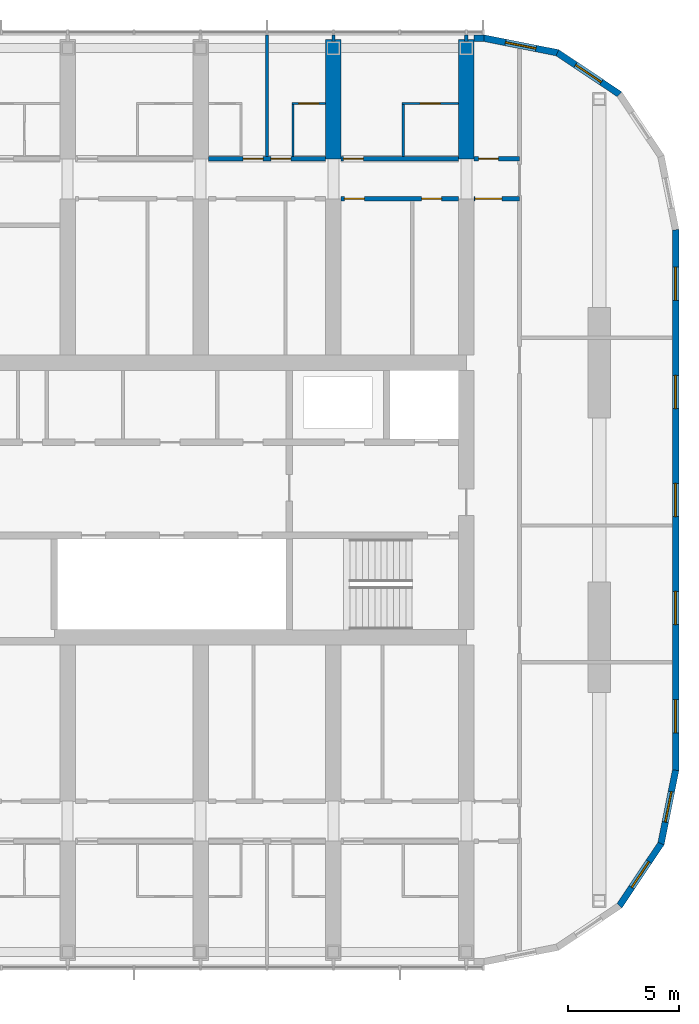
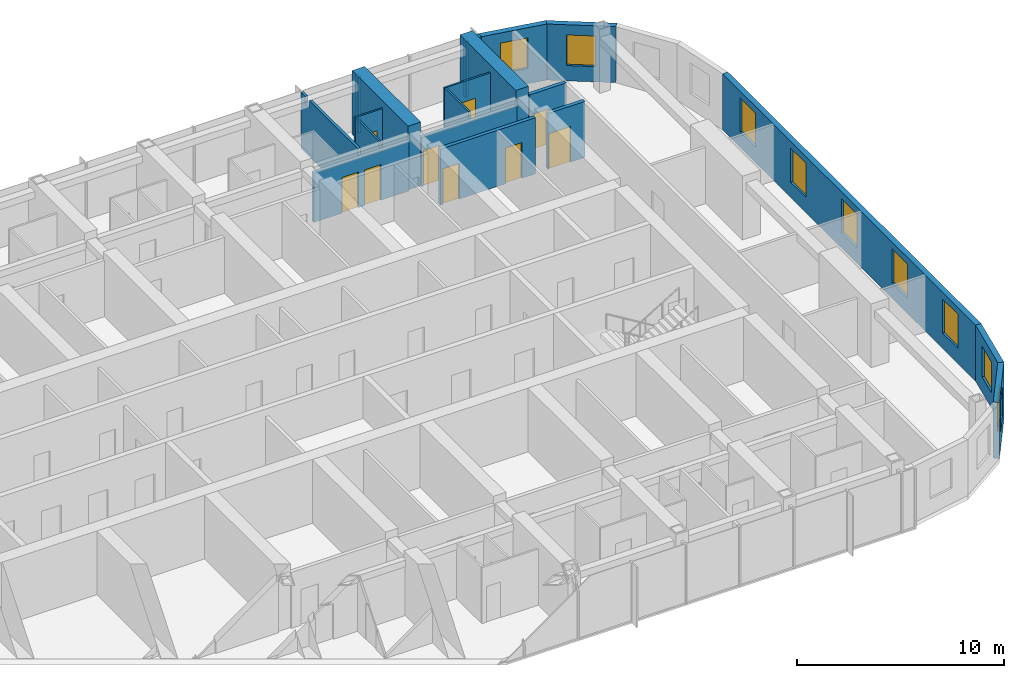
# One storey, part 17 of 23: 20 walls, 9 doors, 9 windows, 18 openings.
"""IFC4 building model written with IfcOpenShell, lengths in metres."""

from ifc_helpers import new_model, si_unit, direction, frame, frame_2d, origin, place, context, subcontext, project, spatial, polyline, rectangle, outline, extrude, material, layer, layer_set, type_object, element, fill, save


model = new_model("IFC4")

# Units and contexts
model_context = context("Model", 3, precision=1e-05, world=origin(), true_north=direction((0.0, 1.0)))
body_context = subcontext(model_context, "Body", "Model", "MODEL_VIEW")
ifc_project = project(units=[si_unit("LENGTHUNIT", "METRE"), si_unit("AREAUNIT", "SQUARE_METRE"), si_unit("VOLUMEUNIT", "CUBIC_METRE"), si_unit("PLANEANGLEUNIT", "RADIAN"), si_unit("MASSUNIT", "GRAM", prefix="KILO")], contexts=[model_context])

# Site, building, storey
site_placement = place(None, origin())
site = spatial("IfcSite", under=ifc_project, at=site_placement, CompositionType="ELEMENT")
building_placement = place(site_placement, origin())
building = spatial("IfcBuilding", under=site, at=building_placement, Name="Orbita Commons", CompositionType="ELEMENT")
storey_placement = place(building_placement, frame((0.0, 0.0, 212.800048828125)))
storey = spatial("IfcBuildingStorey", under=building, at=storey_placement, Name="L52", CompositionType="ELEMENT", Elevation=212.800048828125)

# Wall, openings, doors
ifc_material_1 = material(Name="Concrete blockwork", Category="masonry")
ifc_layer_1 = layer(ifc_material_1, 0.199951171875)
ifc_layer_set_1 = layer_set([ifc_layer_1], Name="Concrete blockwork")
wall_type_1 = type_object("IfcWallType", Name="Corridor wall 200 blockwork", PredefinedType="SOLIDWALL", material=ifc_layer_set_1)
wall_1_placement = place(storey_placement, frame((54.35009765625, 47.39990234375, 0.0), z_axis=(0.0, 0.0, 1.0), x_axis=(1.0, 0.0, 0.0)))
wall_1 = element("IfcWall", 1, at=wall_1_placement, inside=storey, type_object=wall_type_1, Name="Corridor wall 200 blockwork L52", PredefinedType="SOLIDWALL", context=body_context, shape_type="SweptSolid", body=[
    extrude(outline(polyline([(0.0, 0.0), (5.2998046875, 0.0), (5.300048828125, 2.89990234375), (0.0, 2.89990234375), (0.0, 0.0)])), frame((0.0, 0.10009765625, 0.0), z_axis=(0.0, -1.0, 0.0), x_axis=(1.0, 0.0, 0.0)), (0.0, 0.0, 1.0), 0.199951171875),
])
opening_1_placement = place(wall_1_placement, frame((1.574951171875, 0.0, 0.0)))
opening_1 = element("IfcOpeningElement", 2, at=opening_1_placement, cuts=wall_1, Name="Opening D11", PredefinedType="OPENING", context=body_context, shape_type="SweptSolid", body=[
    extrude(rectangle(XDim=0.89990234375, YDim=2.10009765625, at=frame_2d((0.449951171875, 1.050048828125))), frame((0.0, 0.10986328125, 0.0), z_axis=(0.0, -1.0, 0.0), x_axis=(1.0, 0.0, 0.0)), (0.0, 0.0, 1.0), 0.219970703125),
])
opening_2_placement = place(wall_1_placement, frame((2.824951171875, 0.0, 0.0)))
opening_2 = element("IfcOpeningElement", 3, at=opening_2_placement, cuts=wall_1, Name="Opening D11", PredefinedType="OPENING", context=body_context, shape_type="SweptSolid", body=[
    extrude(rectangle(XDim=0.89990234375, YDim=2.10009765625, at=frame_2d((0.449951171875, 1.050048828125))), frame((0.0, 0.10986328125, 0.0), z_axis=(0.0, -1.0, 0.0), x_axis=(1.0, 0.0, 0.0)), (0.0, 0.0, 1.0), 0.219970703125),
])
ifc_material_2 = material(Name="Steel-faced fire door leaf", Category="steel")
door_type_1 = type_object("IfcDoorType", Name="Corridor door 20 min 900x2100", OperationType="SINGLE_SWING_LEFT", PredefinedType="DOOR", material=ifc_material_2)
door_1_placement = place(opening_1_placement, origin())
door_1 = element("IfcDoor", 4, at=door_1_placement, inside=storey, type_object=door_type_1, Name="Cluster bedroom L52-N12 door", OperationType="SINGLE_SWING_LEFT", OverallHeight=2.10009765625, OverallWidth=0.89990234375, PredefinedType="DOOR", context=body_context, shape_type="SweptSolid", body=[
    extrude(rectangle(XDim=0.89990234375, YDim=2.10009765625, at=frame_2d((0.449951171875, 1.050048828125))), frame((0.0, 0.02490234375, 0.0), z_axis=(0.0, -1.0, 0.0), x_axis=(1.0, 0.0, 0.0)), (0.0, 0.0, 1.0), 0.050048828125),
])
fill(opening_1, door_1)
door_2_placement = place(opening_2_placement, origin())
door_2 = element("IfcDoor", 5, at=door_2_placement, inside=storey, type_object=door_type_1, Name="Cluster bedroom L52-N13 door", OperationType="SINGLE_SWING_LEFT", OverallHeight=2.10009765625, OverallWidth=0.89990234375, PredefinedType="DOOR", context=body_context, shape_type="SweptSolid", body=[
    extrude(rectangle(XDim=0.89990234375, YDim=2.10009765625, at=frame_2d((0.449951171875, 1.050048828125))), frame((0.0, 0.02490234375, 0.0), z_axis=(0.0, -1.0, 0.0), x_axis=(1.0, 0.0, 0.0)), (0.0, 0.0, 1.0), 0.050048828125),
])
fill(opening_2, door_2)

# Wall, opening, door
wall_2_placement = place(storey_placement, frame((60.35009765625, 47.39990234375, 0.0), z_axis=(0.0, 0.0, 1.0), x_axis=(1.0, 0.0, 0.0)))
wall_2 = element("IfcWall", 6, at=wall_2_placement, inside=storey, type_object=wall_type_1, Name="Corridor wall 200 blockwork L52", PredefinedType="SOLIDWALL", context=body_context, shape_type="SweptSolid", body=[
    extrude(outline(polyline([(0.0, 0.0), (5.2998046875, 0.0), (5.300048828125, 2.89990234375), (0.0, 2.89990234375), (0.0, 0.0)])), frame((0.0, 0.10009765625, 0.0), z_axis=(0.0, -1.0, 0.0), x_axis=(1.0, 0.0, 0.0)), (0.0, 0.0, 1.0), 0.199951171875),
])
opening_3_placement = place(wall_2_placement, frame((0.10009765625, 0.0, 0.0)))
opening_3 = element("IfcOpeningElement", 7, at=opening_3_placement, cuts=wall_2, Name="Opening D11", PredefinedType="OPENING", context=body_context, shape_type="SweptSolid", body=[
    extrude(rectangle(XDim=0.89990234375, YDim=2.10009765625, at=frame_2d((0.449951171875, 1.050048828125))), frame((0.0, 0.10986328125, 0.0), z_axis=(0.0, -1.0, 0.0), x_axis=(1.0, 0.0, 0.0)), (0.0, 0.0, 1.0), 0.219970703125),
])
door_3_placement = place(opening_3_placement, origin())
door_3 = element("IfcDoor", 8, at=door_3_placement, inside=storey, type_object=door_type_1, Name="Studio apartment with kitchenette L52-N14 door", OperationType="SINGLE_SWING_LEFT", OverallHeight=2.10009765625, OverallWidth=0.89990234375, PredefinedType="DOOR", context=body_context, shape_type="SweptSolid", body=[
    extrude(rectangle(XDim=0.89990234375, YDim=2.10009765625, at=frame_2d((0.449951171875, 1.050048828125))), frame((0.0, 0.02490234375, 0.0), z_axis=(0.0, -1.0, 0.0), x_axis=(1.0, 0.0, 0.0)), (0.0, 0.0, 1.0), 0.050048828125),
])
fill(opening_3, door_3)

wall_3_placement = place(storey_placement, frame((66.35009765625, 47.39990234375, 0.0), z_axis=(0.0, 0.0, 1.0), x_axis=(1.0, 0.0, 0.0)))
wall_3 = element("IfcWall", 9, at=wall_3_placement, inside=storey, type_object=wall_type_1, Name="Corridor wall 200 blockwork L52", PredefinedType="SOLIDWALL", context=body_context, shape_type="SweptSolid", body=[
    extrude(rectangle(XDim=2.0498046875, YDim=0.199951171875, at=frame_2d((1.02490234375, 0.0))), origin(), (0.0, 0.0, 1.0), 3.300048828125),
])
opening_4_placement = place(wall_3_placement, frame((0.199951171875, 0.0, 0.0)))
opening_4 = element("IfcOpeningElement", 10, at=opening_4_placement, cuts=wall_3, Name="Opening D05", PredefinedType="OPENING", context=body_context, shape_type="SweptSolid", body=[
    extrude(rectangle(XDim=0.89990234375, YDim=2.10009765625, at=frame_2d((0.449951171875, 1.050048828125))), frame((0.0, 0.10986328125, 0.0), z_axis=(0.0, -1.0, 0.0), x_axis=(1.0, 0.0, 0.0)), (0.0, 0.0, 1.0), 0.219970703125),
])
ifc_material_3 = material(Name="Steel-faced fire door leaf", Category="steel")
door_type_2 = type_object("IfcDoorType", Name="Service door 20 min 900x2100", OperationType="SINGLE_SWING_LEFT", PredefinedType="DOOR", material=ifc_material_3)
door_4_placement = place(opening_4_placement, origin())
door_4 = element("IfcDoor", 11, at=door_4_placement, inside=storey, type_object=door_type_2, Name="Linen store L52-KEN door", OperationType="SINGLE_SWING_LEFT", OverallHeight=2.10009765625, OverallWidth=0.89990234375, PredefinedType="DOOR", context=body_context, shape_type="SweptSolid", body=[
    extrude(rectangle(XDim=0.89990234375, YDim=2.10009765625, at=frame_2d((0.449951171875, 1.050048828125))), frame((0.0, 0.02490234375, 0.0), z_axis=(0.0, -1.0, 0.0), x_axis=(1.0, 0.0, 0.0)), (0.0, 0.0, 1.0), 0.050048828125),
])
fill(opening_4, door_4)

# Wall, openings, doors
ifc_material_4 = material(Name="Hollow concrete block 200", Category="concrete")
ifc_layer_2 = layer(ifc_material_4, 0.199951171875)
ifc_layer_set_2 = layer_set([ifc_layer_2], Name="Hollow concrete block 200")
wall_type_2 = type_object("IfcWallType", Name="Corridor wall 200 hollow concrete block", PredefinedType="SOLIDWALL", material=ifc_layer_set_2)
wall_4_placement = place(storey_placement, frame((60.35009765625, 45.60009765625, 0.0), z_axis=(0.0, 0.0, 1.0), x_axis=(1.0, 0.0, 0.0)))
wall_4 = element("IfcWall", 12, at=wall_4_placement, inside=storey, type_object=wall_type_2, Name="Corridor wall 200 hollow concrete block L52", PredefinedType="SOLIDWALL", context=body_context, shape_type="SweptSolid", body=[
    extrude(rectangle(XDim=5.2998046875, YDim=0.199951171875, at=frame_2d((2.64990234375, 0.0))), origin(), (0.0, 0.0, 1.0), 3.300048828125),
])
opening_5_placement = place(wall_4_placement, frame((0.14990234375, 0.0, 0.0)))
opening_5 = element("IfcOpeningElement", 13, at=opening_5_placement, cuts=wall_4, Name="Opening D11", PredefinedType="OPENING", context=body_context, shape_type="SweptSolid", body=[
    extrude(rectangle(XDim=0.89990234375, YDim=2.10009765625, at=frame_2d((0.449951171875, 1.050048828125))), frame((0.0, 0.10986328125, 0.0), z_axis=(0.0, -1.0, 0.0), x_axis=(1.0, 0.0, 0.0)), (0.0, 0.0, 1.0), 0.219970703125),
])
opening_6_placement = place(wall_4_placement, frame((3.635009765625, 0.0, 0.0)))
opening_6 = element("IfcOpeningElement", 14, at=opening_6_placement, cuts=wall_4, Name="Opening D11", PredefinedType="OPENING", context=body_context, shape_type="SweptSolid", body=[
    extrude(rectangle(XDim=0.89990234375, YDim=2.10009765625, at=frame_2d((0.449951171875, 1.050048828125))), frame((0.0, 0.10986328125, 0.0), z_axis=(0.0, -1.0, 0.0), x_axis=(1.0, 0.0, 0.0)), (0.0, 0.0, 1.0), 0.219970703125),
])
door_5_placement = place(opening_5_placement, origin())
door_5 = element("IfcDoor", 15, at=door_5_placement, inside=storey, type_object=door_type_1, Name="Parcel and post room L52-BDN60 door", OperationType="SINGLE_SWING_LEFT", OverallHeight=2.10009765625, OverallWidth=0.89990234375, PredefinedType="DOOR", context=body_context, shape_type="SweptSolid", body=[
    extrude(rectangle(XDim=0.89990234375, YDim=2.10009765625, at=frame_2d((0.449951171875, 1.050048828125))), frame((0.0, 0.02490234375, 0.0), z_axis=(0.0, -1.0, 0.0), x_axis=(1.0, 0.0, 0.0)), (0.0, 0.0, 1.0), 0.050048828125),
])
fill(opening_5, door_5)
door_6_placement = place(opening_6_placement, origin())
door_6 = element("IfcDoor", 16, at=door_6_placement, inside=storey, type_object=door_type_1, Name="Sprinkler valve room L52-BDN60n door", OperationType="SINGLE_SWING_LEFT", OverallHeight=2.10009765625, OverallWidth=0.89990234375, PredefinedType="DOOR", context=body_context, shape_type="SweptSolid", body=[
    extrude(rectangle(XDim=0.89990234375, YDim=2.10009765625, at=frame_2d((0.449951171875, 1.050048828125))), frame((0.0, 0.02490234375, 0.0), z_axis=(0.0, -1.0, 0.0), x_axis=(1.0, 0.0, 0.0)), (0.0, 0.0, 1.0), 0.050048828125),
])
fill(opening_6, door_6)

# Wall, opening, door
wall_5_placement = place(storey_placement, frame((66.35009765625, 45.60009765625, 0.0), z_axis=(0.0, 0.0, 1.0), x_axis=(1.0, 0.0, 0.0)))
wall_5 = element("IfcWall", 17, at=wall_5_placement, inside=storey, type_object=wall_type_2, Name="Corridor wall 200 hollow concrete block L52", PredefinedType="SOLIDWALL", context=body_context, shape_type="SweptSolid", body=[
    extrude(rectangle(XDim=2.0498046875, YDim=0.199951171875, at=frame_2d((1.02490234375, 0.0))), origin(), (0.0, 0.0, 1.0), 3.300048828125),
])
opening_7_placement = place(wall_5_placement, frame((0.050048828125, 0.0, 0.0)))
opening_7 = element("IfcOpeningElement", 18, at=opening_7_placement, cuts=wall_5, Name="Opening D12", PredefinedType="OPENING", context=body_context, shape_type="SweptSolid", body=[
    extrude(rectangle(XDim=1.199951171875, YDim=2.10009765625, at=frame_2d((0.60009765625, 1.050048828125))), frame((0.0, 0.10986328125, 0.0), z_axis=(0.0, -1.0, 0.0), x_axis=(1.0, 0.0, 0.0)), (0.0, 0.0, 1.0), 0.219970703125),
])
ifc_material_5 = material(Name="Steel-faced fire door leaf", Category="steel")
door_type_3 = type_object("IfcDoorType", Name="Double corridor door 20 min 1200x2100", OperationType="DOUBLE_DOOR_SINGLE_SWING", PredefinedType="DOOR", material=ifc_material_5)
door_7_placement = place(opening_7_placement, origin())
door_7 = element("IfcDoor", 19, at=door_7_placement, inside=storey, type_object=door_type_3, Name="Cross corridor doors", OperationType="DOUBLE_DOOR_SINGLE_SWING", OverallHeight=2.10009765625, OverallWidth=1.199951171875, PredefinedType="DOOR", context=body_context, shape_type="SweptSolid", body=[
    extrude(rectangle(XDim=1.199951171875, YDim=2.10009765625, at=frame_2d((0.60009765625, 1.050048828125))), frame((0.0, 0.02490234375, 0.0), z_axis=(0.0, -1.0, 0.0), x_axis=(1.0, 0.0, 0.0)), (0.0, 0.0, 1.0), 0.050048828125),
])
fill(opening_7, door_7)

# Walls
ifc_material_6 = material(Name="Concrete C50/60", Category="concrete")
ifc_layer_3 = layer(ifc_material_6, 0.699951171875)
ifc_layer_set_3 = layer_set([ifc_layer_3], Name="Concrete C50/60")
wall_type_3 = type_object("IfcWallType", Name="Cross wall 700 C50/60", PredefinedType="SHEAR", material=ifc_layer_set_3)
for number, where, z_axis, x_axis, name in (
    (20, (60.0, 47.39990234375, 0.0), (0.0, 0.0, 1.0), (0.0, 1.0, 0.0), "Cross wall 11 north outer L52"),
    (21, (66.0, 47.39990234375, 0.0), (0.0, 0.0, 1.0), (0.0, 1.0, 0.0), "Cross wall 12 north outer L52"),
):
    element("IfcWall", number, at=place(storey_placement, frame(where, z_axis=z_axis, x_axis=x_axis)), inside=storey, type_object=wall_type_3, Name=name, PredefinedType="SHEAR", context=body_context, shape_type="SweptSolid", body=[
        extrude(rectangle(XDim=5.400146484375, YDim=0.699951171875, at=frame_2d((2.7001953125, 0.0))), origin(), (0.0, 0.0, 1.0), 3.75),
    ])

# Wall, opening, door
ifc_material_7 = material(Name="Moisture-resistant plasterboard on steel studs", Category="steel")
ifc_layer_4 = layer(ifc_material_7, 0.10009765625)
ifc_layer_set_4 = layer_set([ifc_layer_4], Name="Moisture-resistant plasterboard on steel studs")
wall_type_4 = type_object("IfcWallType", Name="En-suite partition 100", PredefinedType="PARTITIONING", material=ifc_layer_set_4)
wall_6_placement = place(storey_placement, frame((58.125, 49.89990234375, 0.0), z_axis=(0.0, 0.0, 1.0), x_axis=(1.0, 0.0, 0.0)))
wall_6 = element("IfcWall", 22, at=wall_6_placement, inside=storey, type_object=wall_type_4, Name="En-suite partition 100 L52", PredefinedType="PARTITIONING", context=body_context, shape_type="SweptSolid", body=[
    extrude(rectangle(XDim=1.52490234375, YDim=0.10009765625, at=frame_2d((0.762451171875, 0.0))), origin(), (0.0, 0.0, 1.0), 3.300048828125),
])
opening_8_placement = place(wall_6_placement, frame((0.3125, 0.0, 0.0)))
opening_8 = element("IfcOpeningElement", 23, at=opening_8_placement, cuts=wall_6, Name="Opening D09", PredefinedType="OPENING", context=body_context, shape_type="SweptSolid", body=[
    extrude(rectangle(XDim=0.89990234375, YDim=2.10009765625, at=frame_2d((0.449951171875, 1.050048828125))), frame((0.0, 0.06005859375, 0.0), z_axis=(0.0, -1.0, 0.0), x_axis=(1.0, 0.0, 0.0)), (0.0, 0.0, 1.0), 0.1201171875),
])
ifc_material_8 = material(Name="Laminated timber door leaf", Category="wood")
door_type_4 = type_object("IfcDoorType", Name="En-suite door 900x2100", OperationType="SINGLE_SWING_RIGHT", PredefinedType="DOOR", material=ifc_material_8)
door_8_placement = place(opening_8_placement, origin())
door_8 = element("IfcDoor", 24, at=door_8_placement, inside=storey, type_object=door_type_4, Name="En-suite L52-N13 door", OperationType="SINGLE_SWING_RIGHT", OverallHeight=2.10009765625, OverallWidth=0.89990234375, PredefinedType="DOOR", context=body_context, shape_type="SweptSolid", body=[
    extrude(rectangle(XDim=0.89990234375, YDim=2.10009765625, at=frame_2d((0.449951171875, 1.050048828125))), frame((0.0, 0.02490234375, 0.0), z_axis=(0.0, -1.0, 0.0), x_axis=(1.0, 0.0, 0.0)), (0.0, 0.0, 1.0), 0.050048828125),
])
fill(opening_8, door_8)

# Wall
wall_7_placement = place(storey_placement, frame((58.175048828125, 49.85009765625, 0.0), z_axis=(0.0, 0.0, 1.0), x_axis=(0.0, -1.0, 0.0)))
element("IfcWall", 25, at=wall_7_placement, inside=storey, type_object=wall_type_4, Name="En-suite partition 100 L52", PredefinedType="PARTITIONING", context=body_context, shape_type="SweptSolid", body=[
    extrude(outline(polyline([(0.0, 0.0), (2.35009765625, 0.0), (2.35009765625, 2.89990234375), (2.302001953125, 2.89990234375), (2.300048828125, 3.300048828125), (0.0, 3.300048828125), (0.0, 0.0)])), frame((0.0, 0.050048828125, 0.0), z_axis=(0.0, -1.0, 0.0), x_axis=(1.0, 0.0, 0.0)), (0.0, 0.0, 1.0), 0.10009765625),
])

# Wall, opening, door
wall_8_placement = place(storey_placement, frame((63.10009765625, 49.89990234375, 0.0), z_axis=(0.0, 0.0, 1.0), x_axis=(1.0, 0.0, 0.0)))
wall_8 = element("IfcWall", 26, at=wall_8_placement, inside=storey, type_object=wall_type_4, Name="En-suite partition 100 L52", PredefinedType="PARTITIONING", context=body_context, shape_type="SweptSolid", body=[
    extrude(rectangle(XDim=2.5498046875, YDim=0.10009765625, at=frame_2d((1.27490234375, 0.0))), origin(), (0.0, 0.0, 1.0), 3.300048828125),
])
opening_9_placement = place(wall_8_placement, frame((0.824951171875, 0.0, 0.0)))
opening_9 = element("IfcOpeningElement", 27, at=opening_9_placement, cuts=wall_8, Name="Opening D09", PredefinedType="OPENING", context=body_context, shape_type="SweptSolid", body=[
    extrude(rectangle(XDim=0.89990234375, YDim=2.10009765625, at=frame_2d((0.449951171875, 1.050048828125))), frame((0.0, 0.06005859375, 0.0), z_axis=(0.0, -1.0, 0.0), x_axis=(1.0, 0.0, 0.0)), (0.0, 0.0, 1.0), 0.1201171875),
])
door_9_placement = place(opening_9_placement, origin())
door_9 = element("IfcDoor", 28, at=door_9_placement, inside=storey, type_object=door_type_4, Name="En-suite L52-N14 door", OperationType="SINGLE_SWING_RIGHT", OverallHeight=2.10009765625, OverallWidth=0.89990234375, PredefinedType="DOOR", context=body_context, shape_type="SweptSolid", body=[
    extrude(rectangle(XDim=0.89990234375, YDim=2.10009765625, at=frame_2d((0.449951171875, 1.050048828125))), frame((0.0, 0.02490234375, 0.0), z_axis=(0.0, -1.0, 0.0), x_axis=(1.0, 0.0, 0.0)), (0.0, 0.0, 1.0), 0.050048828125),
])
fill(opening_9, door_9)

# Walls
wall_9_placement = place(storey_placement, frame((63.14990234375, 49.85009765625, 0.0), z_axis=(0.0, 0.0, 1.0), x_axis=(0.0, -1.0, 0.0)))
element("IfcWall", 29, at=wall_9_placement, inside=storey, type_object=wall_type_4, Name="En-suite partition 100 L52", PredefinedType="PARTITIONING", context=body_context, shape_type="SweptSolid", body=[
    extrude(outline(polyline([(0.0, 0.0), (2.35009765625, 0.0), (2.35009765625, 2.89990234375), (2.302001953125, 2.89990234375), (2.300048828125, 3.300048828125), (0.0, 3.300048828125), (0.0, 0.0)])), frame((0.0, 0.050048828125, 0.0), z_axis=(0.0, -1.0, 0.0), x_axis=(1.0, 0.0, 0.0)), (0.0, 0.0, 1.0), 0.10009765625),
])
ifc_material_9 = material(Name="Gypsum plasterboard on steel studs", Category="steel")
ifc_layer_5 = layer(ifc_material_9, 0.14990234375)
ifc_layer_set_5 = layer_set([ifc_layer_5], Name="Gypsum plasterboard on steel studs")
wall_type_5 = type_object("IfcWallType", Name="Partition 150 plasterboard", PredefinedType="PARTITIONING", material=ifc_layer_set_5)
for number, where, z_axis, x_axis, name in (
    (30, (60.0, 52.699951171875, 0.0), (0.0, 0.0, 1.0), (0.0, 1.0, 0.0), "Partition 150 plasterboard L52"),
    (31, (66.0, 52.699951171875, 0.0), (0.0, 0.0, 1.0), (0.0, 1.0, 0.0), "Partition 150 plasterboard L52"),
):
    element("IfcWall", number, at=place(storey_placement, frame(where, z_axis=z_axis, x_axis=x_axis)), inside=storey, type_object=wall_type_5, Name=name, PredefinedType="PARTITIONING", context=body_context, shape_type="SweptSolid", body=[
        extrude(rectangle(XDim=0.2900390625, YDim=0.14990234375, at=frame_2d((0.14501953125, 0.0))), origin(), (0.0, 0.0, 1.0), 3.300048828125),
    ])
ifc_material_10 = material(Name="Gypsum plasterboard on steel studs", Category="steel")
ifc_layer_6 = layer(ifc_material_10, 0.14990234375)
ifc_layer_set_6 = layer_set([ifc_layer_6], Name="Gypsum plasterboard on steel studs")
wall_type_6 = type_object("IfcWallType", Name="Party wall 150 plasterboard", PredefinedType="PARTITIONING", material=ifc_layer_set_6)
wall_10_placement = place(storey_placement, frame((57.0, 52.989990234375, 0.0), z_axis=(0.0, 0.0, 1.0), x_axis=(0.0, -1.0, 0.0)))
element("IfcWall", 32, at=wall_10_placement, inside=storey, type_object=wall_type_6, Name="Party wall 150 plasterboard L52", PredefinedType="PARTITIONING", context=body_context, shape_type="SweptSolid", body=[
    extrude(outline(polyline([(0.0, 0.0), (5.489990234375, 0.0), (5.489990234375, 2.89990234375), (5.44189453125, 2.89990234375), (5.43994140625, 3.300048828125), (0.7919921875, 3.300048828125), (0.7900390625, 2.89990234375), (0.39208984375, 2.89990234375), (0.389892578125, 3.300048828125), (0.0, 3.300048828125), (0.0, 0.0)])), frame((0.0, 0.074951171875, 0.0), z_axis=(0.0, -1.0, 0.0), x_axis=(1.0, 0.0, 0.0)), (0.0, 0.0, 1.0), 0.14990234375),
])

# Wall, openings, windows
ifc_material_11 = material(Name="Precast concrete C40/50, white board-marked finish", Category="concrete")
ifc_layer_7 = layer(ifc_material_11, 0.300048828125)
ifc_layer_set_7 = layer_set([ifc_layer_7], Name="Precast concrete C40/50, white board-marked finish")
wall_type_7 = type_object("IfcWallType", Name="Precast concrete end shield 300", PredefinedType="SOLIDWALL", material=ifc_layer_set_7)
wall_11_placement = place(storey_placement, frame((75.449951171875, 19.800048828125, 0.0), z_axis=(0.0, 0.0, 1.0), x_axis=(0.0, 1.0, 0.0)))
wall_11 = element("IfcWall", 33, at=wall_11_placement, inside=storey, type_object=wall_type_7, Name="End shield E L52", PredefinedType="SOLIDWALL", context=body_context, shape_type="SweptSolid", body=[
    extrude(outline(polyline([(-0.014892578125, -0.14990234375), (24.414794921875, -0.14990234375), (24.385009765625, 0.14990234375), (0.014892578125, 0.14990234375), (-0.014892578125, -0.14990234375)])), origin(), (0.0, 0.0, 1.0), 3.300048828125),
])
opening_10_placement = place(wall_11_placement, frame((1.68994140625, 0.0, 0.89990234375)))
opening_10 = element("IfcOpeningElement", 34, at=opening_10_placement, cuts=wall_11, Name="Opening W01", PredefinedType="OPENING", context=body_context, shape_type="SweptSolid", body=[
    extrude(rectangle(XDim=1.5, YDim=2.0, at=frame_2d((0.75, 1.0))), frame((0.0, 0.159912109375, 0.0), z_axis=(0.0, -1.0, 0.0), x_axis=(1.0, 0.0, 0.0)), (0.0, 0.0, 1.0), 0.320068359375),
])
opening_11_placement = place(wall_11_placement, frame((6.570068359375, 0.0, 0.89990234375)))
opening_11 = element("IfcOpeningElement", 35, at=opening_11_placement, cuts=wall_11, Name="Opening W01", PredefinedType="OPENING", context=body_context, shape_type="SweptSolid", body=[
    extrude(rectangle(XDim=1.5, YDim=2.0, at=frame_2d((0.75, 1.0))), frame((0.0, 0.159912109375, 0.0), z_axis=(0.0, -1.0, 0.0), x_axis=(1.0, 0.0, 0.0)), (0.0, 0.0, 1.0), 0.320068359375),
])
opening_12_placement = place(wall_11_placement, frame((11.449951171875, 0.0, 0.89990234375)))
opening_12 = element("IfcOpeningElement", 36, at=opening_12_placement, cuts=wall_11, Name="Opening W01", PredefinedType="OPENING", context=body_context, shape_type="SweptSolid", body=[
    extrude(rectangle(XDim=1.5, YDim=2.0, at=frame_2d((0.75, 1.0))), frame((0.0, 0.159912109375, 0.0), z_axis=(0.0, -1.0, 0.0), x_axis=(1.0, 0.0, 0.0)), (0.0, 0.0, 1.0), 0.320068359375),
])
opening_13_placement = place(wall_11_placement, frame((16.330078125, 0.0, 0.89990234375)))
opening_13 = element("IfcOpeningElement", 37, at=opening_13_placement, cuts=wall_11, Name="Opening W01", PredefinedType="OPENING", context=body_context, shape_type="SweptSolid", body=[
    extrude(rectangle(XDim=1.5, YDim=2.0, at=frame_2d((0.75, 1.0))), frame((0.0, 0.159912109375, 0.0), z_axis=(0.0, -1.0, 0.0), x_axis=(1.0, 0.0, 0.0)), (0.0, 0.0, 1.0), 0.320068359375),
])
opening_14_placement = place(wall_11_placement, frame((21.2099609375, 0.0, 0.89990234375)))
opening_14 = element("IfcOpeningElement", 38, at=opening_14_placement, cuts=wall_11, Name="Opening W01", PredefinedType="OPENING", context=body_context, shape_type="SweptSolid", body=[
    extrude(rectangle(XDim=1.5, YDim=2.0, at=frame_2d((0.75, 1.0))), frame((0.0, 0.159912109375, 0.0), z_axis=(0.0, -1.0, 0.0), x_axis=(1.0, 0.0, 0.0)), (0.0, 0.0, 1.0), 0.320068359375),
])
ifc_material_12 = material(Name="Aluminium frame, clear double glazing", Category="aluminium")
window_type_1 = type_object("IfcWindowType", Name="Deep-set window 1500x2000", PartitioningType="SINGLE_PANEL", PredefinedType="WINDOW", material=ifc_material_12)
window_1_placement = place(opening_10_placement, origin())
window_1 = element("IfcWindow", 39, at=window_1_placement, inside=storey, type_object=window_type_1, Name="Window L52-E 1", OverallHeight=2.0, OverallWidth=1.5, PartitioningType="SINGLE_PANEL", PredefinedType="WINDOW", context=body_context, shape_type="SweptSolid", body=[
    extrude(rectangle(XDim=1.5, YDim=2.0, at=frame_2d((0.75, 1.0))), frame((0.0, 0.030029296875, 0.0), z_axis=(0.0, -1.0, 0.0), x_axis=(1.0, 0.0, 0.0)), (0.0, 0.0, 1.0), 0.06005859375),
])
fill(opening_10, window_1)
window_2_placement = place(opening_11_placement, origin())
window_2 = element("IfcWindow", 40, at=window_2_placement, inside=storey, type_object=window_type_1, Name="Window L52-E 2", OverallHeight=2.0, OverallWidth=1.5, PartitioningType="SINGLE_PANEL", PredefinedType="WINDOW", context=body_context, shape_type="SweptSolid", body=[
    extrude(rectangle(XDim=1.5, YDim=2.0, at=frame_2d((0.75, 1.0))), frame((0.0, 0.030029296875, 0.0), z_axis=(0.0, -1.0, 0.0), x_axis=(1.0, 0.0, 0.0)), (0.0, 0.0, 1.0), 0.06005859375),
])
fill(opening_11, window_2)
window_3_placement = place(opening_12_placement, origin())
window_3 = element("IfcWindow", 41, at=window_3_placement, inside=storey, type_object=window_type_1, Name="Window L52-E 3", OverallHeight=2.0, OverallWidth=1.5, PartitioningType="SINGLE_PANEL", PredefinedType="WINDOW", context=body_context, shape_type="SweptSolid", body=[
    extrude(rectangle(XDim=1.5, YDim=2.0, at=frame_2d((0.75, 1.0))), frame((0.0, 0.030029296875, 0.0), z_axis=(0.0, -1.0, 0.0), x_axis=(1.0, 0.0, 0.0)), (0.0, 0.0, 1.0), 0.06005859375),
])
fill(opening_12, window_3)
window_4_placement = place(opening_13_placement, origin())
window_4 = element("IfcWindow", 42, at=window_4_placement, inside=storey, type_object=window_type_1, Name="Window L52-E 4", OverallHeight=2.0, OverallWidth=1.5, PartitioningType="SINGLE_PANEL", PredefinedType="WINDOW", context=body_context, shape_type="SweptSolid", body=[
    extrude(rectangle(XDim=1.5, YDim=2.0, at=frame_2d((0.75, 1.0))), frame((0.0, 0.030029296875, 0.0), z_axis=(0.0, -1.0, 0.0), x_axis=(1.0, 0.0, 0.0)), (0.0, 0.0, 1.0), 0.06005859375),
])
fill(opening_13, window_4)
window_5_placement = place(opening_14_placement, origin())
window_5 = element("IfcWindow", 43, at=window_5_placement, inside=storey, type_object=window_type_1, Name="Window L52-E 5", OverallHeight=2.0, OverallWidth=1.5, PartitioningType="SINGLE_PANEL", PredefinedType="WINDOW", context=body_context, shape_type="SweptSolid", body=[
    extrude(rectangle(XDim=1.5, YDim=2.0, at=frame_2d((0.75, 1.0))), frame((0.0, 0.030029296875, 0.0), z_axis=(0.0, -1.0, 0.0), x_axis=(1.0, 0.0, 0.0)), (0.0, 0.0, 1.0), 0.06005859375),
])
fill(opening_14, window_5)

# Wall, opening, window
wall_12_placement = place(storey_placement, frame((72.91650390625, 13.68359375, 0.0), z_axis=(0.0, 0.0, 1.0), x_axis=(0.555567969291, 0.831471124873, 0.0)))
wall_12 = element("IfcWall", 44, at=wall_12_placement, inside=storey, type_object=wall_type_7, Name="End shield SE chord 3 L52", PredefinedType="SOLIDWALL", context=body_context, shape_type="SweptSolid", body=[
    extrude(outline(polyline([(-0.02978515625, -0.14990234375), (3.40478515625, -0.14990234375), (3.34521484375, 0.14990234375), (0.02978515625, 0.14990234375), (-0.02978515625, -0.14990234375)])), origin(), (0.0, 0.0, 1.0), 3.300048828125),
])
opening_15_placement = place(wall_12_placement, frame((0.987548828125, 0.0, 0.89990234375)))
opening_15 = element("IfcOpeningElement", 45, at=opening_15_placement, cuts=wall_12, Name="Opening W02", PredefinedType="OPENING", context=body_context, shape_type="SweptSolid", body=[
    extrude(rectangle(XDim=1.39990234375, YDim=1.800048828125, at=frame_2d((0.699951171875, 0.89990234375))), frame((0.0, 0.159912109375, 0.0), z_axis=(0.0, -1.0, 0.0), x_axis=(1.0, 0.0, 0.0)), (0.0, 0.0, 1.0), 0.320068359375),
])
ifc_material_13 = material(Name="Aluminium frame, clear double glazing", Category="aluminium")
window_type_2 = type_object("IfcWindowType", Name="Deep-set window 1400x1800", PartitioningType="SINGLE_PANEL", PredefinedType="WINDOW", material=ifc_material_13)
window_6_placement = place(opening_15_placement, origin())
window_6 = element("IfcWindow", 46, at=window_6_placement, inside=storey, type_object=window_type_2, Name="Window L52-SE2", OverallHeight=1.800048828125, OverallWidth=1.39990234375, PartitioningType="SINGLE_PANEL", PredefinedType="WINDOW", context=body_context, shape_type="SweptSolid", body=[
    extrude(rectangle(XDim=1.39990234375, YDim=1.800048828125, at=frame_2d((0.699951171875, 0.89990234375))), frame((0.0, 0.030029296875, 0.0), z_axis=(0.0, -1.0, 0.0), x_axis=(1.0, 0.0, 0.0)), (0.0, 0.0, 1.0), 0.06005859375),
])
fill(opening_15, window_6)

wall_13_placement = place(storey_placement, frame((74.79150390625, 16.48974609375, 0.0), z_axis=(0.0, 0.0, 1.0), x_axis=(0.19508664885, 0.980786011034, 0.0)))
wall_13 = element("IfcWall", 47, at=wall_13_placement, inside=storey, type_object=wall_type_7, Name="End shield SE chord 4 L52", PredefinedType="SOLIDWALL", context=body_context, shape_type="SweptSolid", body=[
    extrude(outline(polyline([(-0.02978515625, -0.14990234375), (3.39013671875, -0.14990234375), (3.3603515625, 0.14990234375), (0.02978515625, 0.14990234375), (-0.02978515625, -0.14990234375)])), origin(), (0.0, 0.0, 1.0), 3.300048828125),
])
opening_16_placement = place(wall_13_placement, frame((0.987548828125, 0.0, 0.89990234375)))
opening_16 = element("IfcOpeningElement", 48, at=opening_16_placement, cuts=wall_13, Name="Opening W02", PredefinedType="OPENING", context=body_context, shape_type="SweptSolid", body=[
    extrude(rectangle(XDim=1.39990234375, YDim=1.800048828125, at=frame_2d((0.699951171875, 0.89990234375))), frame((0.0, 0.159912109375, 0.0), z_axis=(0.0, -1.0, 0.0), x_axis=(1.0, 0.0, 0.0)), (0.0, 0.0, 1.0), 0.320068359375),
])
window_7_placement = place(opening_16_placement, origin())
window_7 = element("IfcWindow", 49, at=window_7_placement, inside=storey, type_object=window_type_2, Name="Window L52-SE3", OverallHeight=1.800048828125, OverallWidth=1.39990234375, PartitioningType="SINGLE_PANEL", PredefinedType="WINDOW", context=body_context, shape_type="SweptSolid", body=[
    extrude(rectangle(XDim=1.39990234375, YDim=1.800048828125, at=frame_2d((0.699951171875, 0.89990234375))), frame((0.0, 0.030029296875, 0.0), z_axis=(0.0, -1.0, 0.0), x_axis=(1.0, 0.0, 0.0)), (0.0, 0.0, 1.0), 0.06005859375),
])
fill(opening_16, window_7)

wall_14_placement = place(storey_placement, frame((72.91650390625, 50.31640625, 0.0), z_axis=(0.0, 0.0, 1.0), x_axis=(-0.831460037396, 0.555584562613, 0.0)))
wall_14 = element("IfcWall", 50, at=wall_14_placement, inside=storey, type_object=wall_type_7, Name="End shield NE chord 3 L52", PredefinedType="SOLIDWALL", context=body_context, shape_type="SweptSolid", body=[
    extrude(outline(polyline([(-0.02978515625, -0.14990234375), (3.405029296875, -0.14990234375), (3.345458984375, 0.14990234375), (0.02978515625, 0.14990234375), (-0.02978515625, -0.14990234375)])), origin(), (0.0, 0.0, 1.0), 3.300048828125),
])
opening_17_placement = place(wall_14_placement, frame((0.987548828125, 0.0, 0.89990234375)))
opening_17 = element("IfcOpeningElement", 51, at=opening_17_placement, cuts=wall_14, Name="Opening W02", PredefinedType="OPENING", context=body_context, shape_type="SweptSolid", body=[
    extrude(rectangle(XDim=1.39990234375, YDim=1.800048828125, at=frame_2d((0.699951171875, 0.89990234375))), frame((0.0, 0.159912109375, 0.0), z_axis=(0.0, -1.0, 0.0), x_axis=(1.0, 0.0, 0.0)), (0.0, 0.0, 1.0), 0.320068359375),
])
window_8_placement = place(opening_17_placement, origin())
window_8 = element("IfcWindow", 52, at=window_8_placement, inside=storey, type_object=window_type_2, Name="Window L52-NE2", OverallHeight=1.800048828125, OverallWidth=1.39990234375, PartitioningType="SINGLE_PANEL", PredefinedType="WINDOW", context=body_context, shape_type="SweptSolid", body=[
    extrude(rectangle(XDim=1.39990234375, YDim=1.800048828125, at=frame_2d((0.699951171875, 0.89990234375))), frame((0.0, 0.030029296875, 0.0), z_axis=(0.0, -1.0, 0.0), x_axis=(1.0, 0.0, 0.0)), (0.0, 0.0, 1.0), 0.06005859375),
])
fill(opening_17, window_8)

wall_15_placement = place(storey_placement, frame((70.110107421875, 52.191650390625, 0.0), z_axis=(0.0, 0.0, 1.0), x_axis=(-0.98078325777, 0.195100490205, 0.0)))
wall_15 = element("IfcWall", 53, at=wall_15_placement, inside=storey, type_object=wall_type_7, Name="End shield NE chord 4 L52", PredefinedType="SOLIDWALL", context=body_context, shape_type="SweptSolid", body=[
    extrude(outline(polyline([(-0.02978515625, -0.14990234375), (3.40478515625, -0.14990234375), (3.34521484375, 0.14990234375), (0.02978515625, 0.14990234375), (-0.02978515625, -0.14990234375)])), origin(), (0.0, 0.0, 1.0), 3.300048828125),
])
opening_18_placement = place(wall_15_placement, frame((0.987548828125, 0.0, 0.89990234375)))
opening_18 = element("IfcOpeningElement", 54, at=opening_18_placement, cuts=wall_15, Name="Opening W02", PredefinedType="OPENING", context=body_context, shape_type="SweptSolid", body=[
    extrude(rectangle(XDim=1.39990234375, YDim=1.800048828125, at=frame_2d((0.699951171875, 0.89990234375))), frame((0.0, 0.159912109375, 0.0), z_axis=(0.0, -1.0, 0.0), x_axis=(1.0, 0.0, 0.0)), (0.0, 0.0, 1.0), 0.320068359375),
])
window_9_placement = place(opening_18_placement, origin())
window_9 = element("IfcWindow", 55, at=window_9_placement, inside=storey, type_object=window_type_2, Name="Window L52-NE3", OverallHeight=1.800048828125, OverallWidth=1.39990234375, PartitioningType="SINGLE_PANEL", PredefinedType="WINDOW", context=body_context, shape_type="SweptSolid", body=[
    extrude(rectangle(XDim=1.39990234375, YDim=1.800048828125, at=frame_2d((0.699951171875, 0.89990234375))), frame((0.0, 0.030029296875, 0.0), z_axis=(0.0, -1.0, 0.0), x_axis=(1.0, 0.0, 0.0)), (0.0, 0.0, 1.0), 0.06005859375),
])
fill(opening_18, window_9)

# Wall
wall_16_placement = place(storey_placement, frame((66.800048828125, 52.85009765625, 0.0), z_axis=(0.0, 0.0, 1.0), x_axis=(-1.0, 0.0, 0.0)))
element("IfcWall", 56, at=wall_16_placement, inside=storey, type_object=wall_type_7, Name="End shield NE closer L52", PredefinedType="SOLIDWALL", context=body_context, shape_type="SweptSolid", body=[
    extrude(rectangle(XDim=0.449951171875, YDim=0.300048828125, at=frame_2d((0.22509765625, 0.0))), origin(), (0.0, 0.0, 1.0), 3.300048828125),
])

save(model, "model.ifc")
